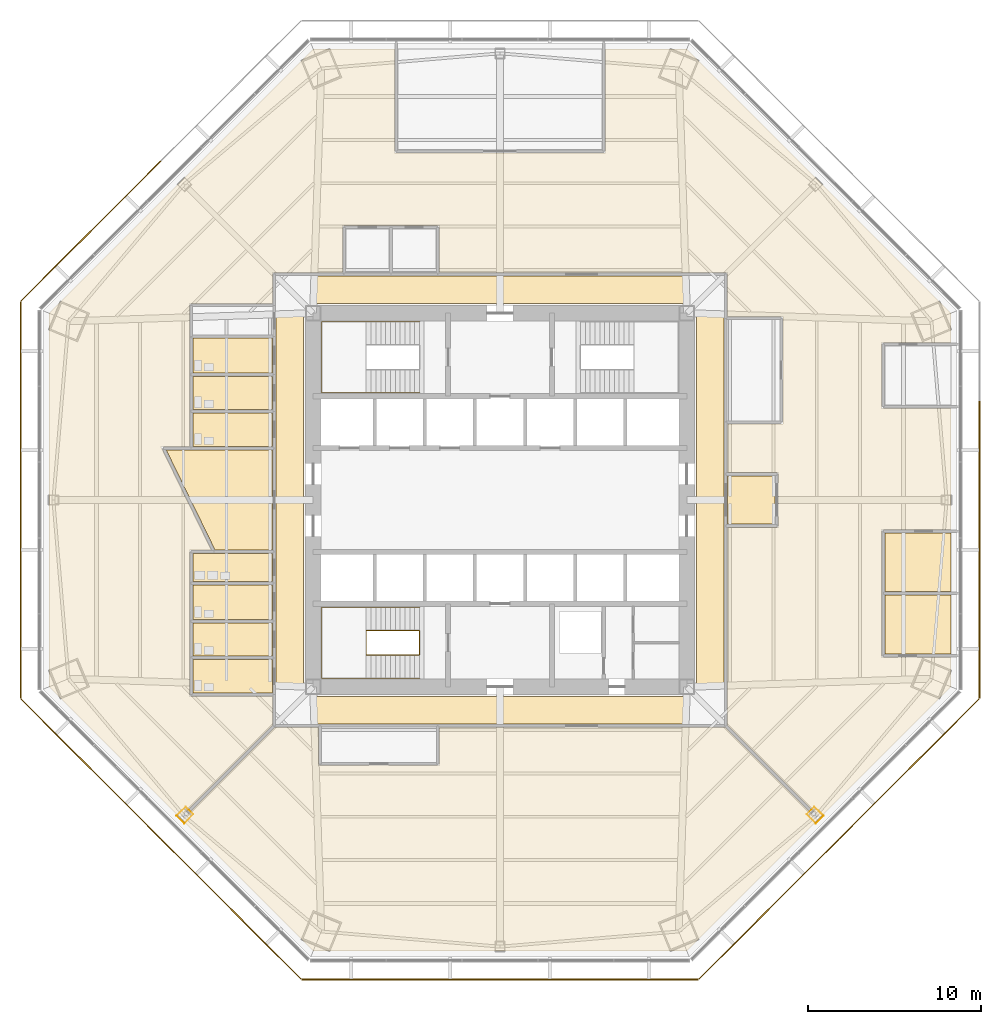
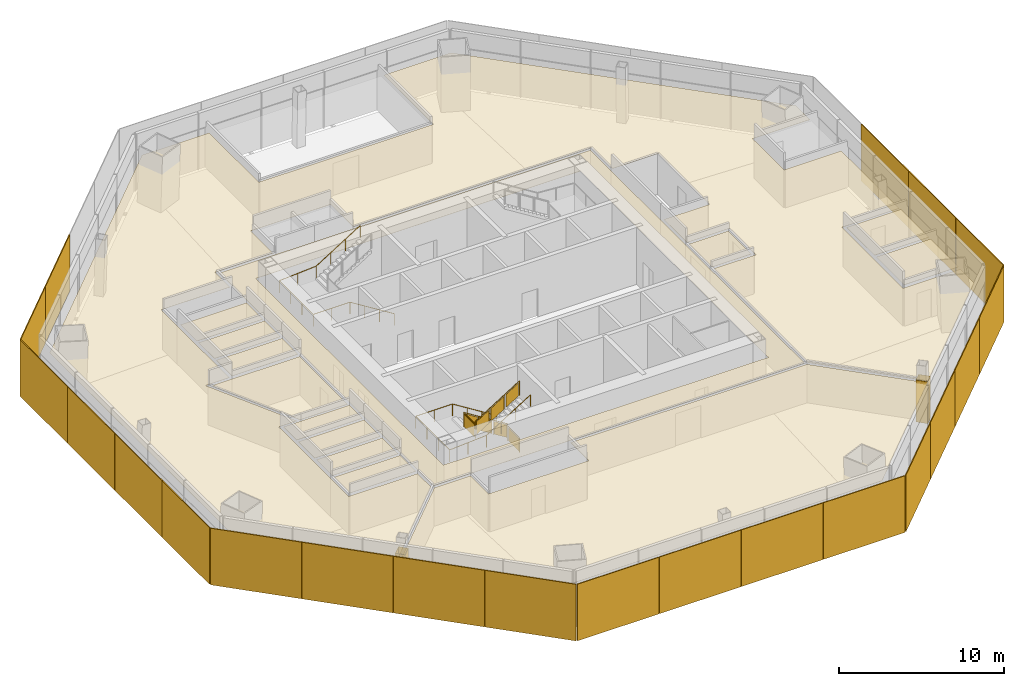
# One storey, part 11 of 13: 21 shading devices, 16 coverings, 3 railings.
"""IFC4 building model written with IfcOpenShell, lengths in metres."""

from ifc_helpers import new_model, si_unit, direction, frame, origin, origin_2d, place, context, subcontext, project, spatial, polyline, rectangle, circle, outline, extrude, source, transform, mapped, material, layer, layer_set, type_object, type_shapes, element, save


model = new_model("IFC4")

# Units and contexts
model_context = context("Model", 3, precision=1e-05, world=origin(), true_north=direction((0.0, 1.0)))
body_context = subcontext(model_context, "Body", "Model", "MODEL_VIEW")
ifc_project = project(units=[si_unit("LENGTHUNIT", "METRE"), si_unit("AREAUNIT", "SQUARE_METRE"), si_unit("VOLUMEUNIT", "CUBIC_METRE"), si_unit("PLANEANGLEUNIT", "RADIAN"), si_unit("MASSUNIT", "GRAM", prefix="KILO")], contexts=[model_context])

# Site, building, storey
site_placement = place(None, origin())
site = spatial("IfcSite", under=ifc_project, at=site_placement, CompositionType="ELEMENT")
building_placement = place(site_placement, origin())
building = spatial("IfcBuilding", under=site, at=building_placement, Name="Mashrafa Tower", CompositionType="ELEMENT")
storey_placement = place(building_placement, frame((0.0, 0.0, 49.800048828125)))
storey = spatial("IfcBuildingStorey", under=building, at=storey_placement, Name="L10", CompositionType="ELEMENT", Elevation=49.800048828125)

# Coverings
ifc_material_1 = material(Name="Gypsum board")
ifc_layer_1 = layer(ifc_material_1, 0.014892578125)
ifc_layer_set_1 = layer_set([ifc_layer_1], Name="Column casing plasterboard 15")
covering_type_1 = type_object("IfcCoveringType", Name="Column casing plasterboard 15", PredefinedType="CLADDING", material=ifc_layer_set_1)
covering_1_placement = place(storey_placement, origin())
element("IfcCovering", 1, at=covering_1_placement, inside=storey, type_object=covering_type_1, Name="Column casing L10-001", PredefinedType="CLADDING", context=body_context, shape_type="SweptSolid", body=[
    extrude(outline(polyline([(-18.693115234375, -18.24755859375), (-18.16357421875, -17.718017578125), (-17.718017578125, -18.16357421875), (-18.24755859375, -18.693115234375), (-18.693115234375, -18.24755859375)]), holes=[polyline([(-17.7392578125, -18.16357421875), (-18.16357421875, -17.7392578125), (-18.671875, -18.24755859375), (-18.24755859375, -18.671875), (-17.7392578125, -18.16357421875)])]), origin(), (0.0, 0.0, 1.0), 3.097900390625),
])
covering_2_placement = place(storey_placement, origin())
element("IfcCovering", 2, at=covering_2_placement, inside=storey, type_object=covering_type_1, Name="Column casing L10-002", PredefinedType="CLADDING", context=body_context, shape_type="SweptSolid", body=[
    extrude(outline(polyline([(17.718017578125, -18.16357421875), (18.16357421875, -17.718017578125), (18.693115234375, -18.24755859375), (18.24755859375, -18.693115234375), (17.718017578125, -18.16357421875)]), holes=[polyline([(18.671875, -18.24755859375), (18.16357421875, -17.7392578125), (17.7392578125, -18.16357421875), (18.24755859375, -18.671875), (18.671875, -18.24755859375)])]), origin(), (0.0, 0.0, 1.0), 3.097900390625),
])

# Railings
ifc_material_2 = material(Name="Steel guard with glass infill", Category="steel")
railing_type_1 = type_object("IfcRailingType", Name="Stair guard 1100", PredefinedType="GUARDRAIL", material=ifc_material_2)
railing_1_placement = place(storey_placement, frame((-4.64990234375, -8.949951171875, 0.0)))
element("IfcRailing", 3, at=railing_1_placement, inside=storey, type_object=railing_type_1, Name="Stair S3 guard L10", PredefinedType="GUARDRAIL", context=body_context, shape_type="SweptSolid", body=[
    extrude(circle(Radius=0.02392578125, at=origin_2d()), frame((0.0, 0.0, 1.076171875), z_axis=(0.0, 1.0, 0.0), x_axis=(-1.0, 0.0, 0.0)), (0.0, 0.0, 1.0), 1.39990234375),
    extrude(circle(Radius=0.02392578125, at=origin_2d()), frame((0.0, 1.39990234375, 1.076171875), z_axis=(0.0, 0.0, 1.0), x_axis=(1.0, 0.0, 0.0)), (0.0, 0.0, 1.0), 0.175048828125),
    extrude(circle(Radius=0.02392578125, at=origin_2d()), frame((0.0, 1.39990234375, 1.2509765625), z_axis=(-0.848028513186, 0.0, 0.529950602248), x_axis=(0.0, -1.0, 0.0)), (0.0, 0.0, 1.0), 3.632080078125),
    extrude(circle(Radius=0.02392578125, at=origin_2d()), frame((-3.080078125, 1.39990234375, 3.17578125), z_axis=(0.0, -1.0, 0.0), x_axis=(1.0, 0.0, 0.0)), (0.0, 0.0, 1.0), 1.39990234375),
    extrude(circle(Radius=0.02392578125, at=origin_2d()), frame((-3.080078125, 0.0, 3.17578125), z_axis=(0.0, 0.0, 1.0), x_axis=(1.0, 0.0, 0.0)), (0.0, 0.0, 1.0), 0.175048828125),
    extrude(circle(Radius=0.02392578125, at=origin_2d()), frame((-3.080078125, 0.0, 3.35107421875), z_axis=(0.847998304005, 0.0, 0.529998940003), x_axis=(0.0, 1.0, 0.0)), (0.0, 0.0, 1.0), 3.632080078125),
    extrude(circle(Radius=0.02099609375, at=origin_2d()), origin(), (0.0, 0.0, 1.0), 1.052001953125),
    extrude(circle(Radius=0.02099609375, at=origin_2d()), frame((0.0, 1.39990234375, 0.0)), (0.0, 0.0, 1.0), 1.052001953125),
    extrude(circle(Radius=0.02099609375, at=origin_2d()), frame((0.0, 1.39990234375, 0.175048828125)), (0.0, 0.0, 1.0), 1.052001953125),
    extrude(circle(Radius=0.02099609375, at=origin_2d()), frame((-1.026611328125, 1.39990234375, 0.816650390625)), (0.0, 0.0, 1.0), 1.052001953125),
    extrude(circle(Radius=0.02099609375, at=origin_2d()), frame((-2.053466796875, 1.39990234375, 1.458251953125)), (0.0, 0.0, 1.0), 1.052001953125),
    extrude(circle(Radius=0.02099609375, at=origin_2d()), frame((-3.080078125, 1.39990234375, 2.099853515625)), (0.0, 0.0, 1.0), 1.052001953125),
    extrude(circle(Radius=0.02099609375, at=origin_2d()), frame((-3.080078125, 0.0, 2.099853515625)), (0.0, 0.0, 1.0), 1.052001953125),
    extrude(circle(Radius=0.02099609375, at=origin_2d()), frame((-3.080078125, 0.0, 2.27490234375)), (0.0, 0.0, 1.0), 1.052001953125),
    extrude(circle(Radius=0.02099609375, at=origin_2d()), frame((-2.053466796875, 0.0, 2.91650390625)), (0.0, 0.0, 1.0), 1.052001953125),
    extrude(circle(Radius=0.02099609375, at=origin_2d()), frame((-1.026611328125, 0.0, 3.558349609375)), (0.0, 0.0, 1.0), 1.052001953125),
    extrude(circle(Radius=0.02099609375, at=origin_2d()), frame((0.0, 0.0, 4.199951171875)), (0.0, 0.0, 1.0), 1.052001953125),
    extrude(outline(polyline([(0.071044921875, 0.050048828125), (1.328857421875, 0.050048828125), (1.328857421875, 1.001953125), (0.071044921875, 1.001953125), (0.071044921875, 0.050048828125)])), frame((0.006103515625, 0.0, 0.0), z_axis=(1.0, 0.0, 0.0), x_axis=(0.0, 1.0, 0.0)), (0.0, 0.0, 1.0), 0.011962890625),
    extrude(outline(polyline([(0.071044921875, 0.094482421875), (0.955810546875, 0.647216796875), (0.955810546875, 1.59912109375), (0.071044921875, 1.04638671875), (0.071044921875, 0.094482421875)])), frame((0.0, 1.406005859375, 0.175048828125), z_axis=(0.0, 1.0, 0.0), x_axis=(-1.0, 0.0, 0.0)), (0.0, 0.0, 1.0), 0.011962890625),
    extrude(outline(polyline([(1.09765625, 0.736083984375), (1.982421875, 1.288818359375), (1.982421875, 2.24072265625), (1.09765625, 1.68798828125), (1.09765625, 0.736083984375)])), frame((0.0, 1.406005859375, 0.175048828125), z_axis=(0.0, 1.0, 0.0), x_axis=(-1.0, 0.0, 0.0)), (0.0, 0.0, 1.0), 0.011962890625),
    extrude(outline(polyline([(2.124267578125, 1.377685546875), (3.009033203125, 1.930419921875), (3.009033203125, 2.88232421875), (2.124267578125, 2.32958984375), (2.124267578125, 1.377685546875)])), frame((0.0, 1.406005859375, 0.175048828125), z_axis=(0.0, 1.0, 0.0), x_axis=(-1.0, 0.0, 0.0)), (0.0, 0.0, 1.0), 0.011962890625),
    extrude(outline(polyline([(0.071044921875, 0.050048828125), (1.328857421875, 0.050048828125), (1.328857421875, 1.001953125), (0.071044921875, 1.001953125), (0.071044921875, 0.050048828125)])), frame((-3.086181640625, 1.39990234375, 2.099853515625), z_axis=(-1.0, 0.0, 0.0), x_axis=(0.0, -1.0, 0.0)), (0.0, 0.0, 1.0), 0.011962890625),
    extrude(outline(polyline([(0.071044921875, 0.094482421875), (0.955810546875, 0.647216796875), (0.955810546875, 1.599365234375), (0.071044921875, 1.04638671875), (0.071044921875, 0.094482421875)])), frame((-3.080078125, -0.006103515625, 2.27490234375), z_axis=(0.0, -1.0, 0.0), x_axis=(1.0, 0.0, 0.0)), (0.0, 0.0, 1.0), 0.011962890625),
    extrude(outline(polyline([(1.09765625, 0.736083984375), (1.982421875, 1.2890625), (1.982421875, 2.240966796875), (1.09765625, 1.68798828125), (1.09765625, 0.736083984375)])), frame((-3.080078125, -0.006103515625, 2.27490234375), z_axis=(0.0, -1.0, 0.0), x_axis=(1.0, 0.0, 0.0)), (0.0, 0.0, 1.0), 0.011962890625),
    extrude(outline(polyline([(2.124267578125, 1.377685546875), (3.009033203125, 1.9306640625), (3.009033203125, 2.882568359375), (2.124267578125, 2.329833984375), (2.124267578125, 1.377685546875)])), frame((-3.080078125, -0.006103515625, 2.27490234375), z_axis=(0.0, -1.0, 0.0), x_axis=(1.0, 0.0, 0.0)), (0.0, 0.0, 1.0), 0.011962890625),
])
ifc_material_3 = material(Name="Steel", Category="steel")
railing_type_2 = type_object("IfcRailingType", Name="Stair handrail 900", PredefinedType="HANDRAIL", material=ifc_material_3)
railing_2_placement = place(storey_placement, frame((-4.64990234375, 6.199951171875, 0.175048828125)))
element("IfcRailing", 4, at=railing_2_placement, inside=storey, type_object=railing_type_2, Name="Stair S1 handrail L10", PredefinedType="HANDRAIL", context=body_context, shape_type="SweptSolid", body=[
    extrude(circle(Radius=0.02392578125, at=origin_2d()), frame((0.0, 0.0, 0.8759765625), z_axis=(-0.848028513186, 0.0, 0.529950602248), x_axis=(0.0, -1.0, 0.0)), (0.0, 0.0, 1.0), 3.632080078125),
    extrude(circle(Radius=0.02392578125, at=origin_2d()), frame((-3.080078125, 0.0, 2.80078125), z_axis=(-1.0, 0.0, 0.0), x_axis=(0.0, -1.0, 0.0)), (0.0, 0.0, 1.0), 2.570068359375),
    extrude(circle(Radius=0.02392578125, at=origin_2d()), frame((-5.650146484375, 0.0, 2.80078125), z_axis=(0.0, 1.0, 0.0), x_axis=(-1.0, 0.0, 0.0)), (0.0, 0.0, 1.0), 4.10009765625),
    extrude(circle(Radius=0.02392578125, at=origin_2d()), frame((-5.650146484375, 4.10009765625, 2.80078125), z_axis=(0.997688514158, 0.0, 0.067953136188), x_axis=(0.0, 1.0, 0.0)), (0.0, 0.0, 1.0), 2.575927734375),
    extrude(circle(Radius=0.02392578125, at=origin_2d()), frame((-3.080078125, 4.10009765625, 2.9755859375), z_axis=(0.847998304005, 0.0, 0.529998940003), x_axis=(0.0, 1.0, 0.0)), (0.0, 0.0, 1.0), 3.632080078125),
    extrude(circle(Radius=0.02099609375, at=origin_2d()), origin(), (0.0, 0.0, 1.0), 0.851806640625),
    extrude(circle(Radius=0.02099609375, at=origin_2d()), frame((-1.026611328125, 0.0, 0.6416015625)), (0.0, 0.0, 1.0), 0.851806640625),
    extrude(circle(Radius=0.02099609375, at=origin_2d()), frame((-2.053466796875, 0.0, 1.283203125)), (0.0, 0.0, 1.0), 0.851806640625),
    extrude(circle(Radius=0.02099609375, at=origin_2d()), frame((-3.080078125, 0.0, 1.9248046875)), (0.0, 0.0, 1.0), 0.851806640625),
    extrude(circle(Radius=0.02099609375, at=origin_2d()), frame((-4.365234375, 0.0, 1.9248046875)), (0.0, 0.0, 1.0), 0.851806640625),
    extrude(circle(Radius=0.02099609375, at=origin_2d()), frame((-5.650146484375, 0.0, 1.9248046875)), (0.0, 0.0, 1.0), 0.851806640625),
    extrude(circle(Radius=0.02099609375, at=origin_2d()), frame((-5.650146484375, 1.36669921875, 1.9248046875)), (0.0, 0.0, 1.0), 0.851806640625),
    extrude(circle(Radius=0.02099609375, at=origin_2d()), frame((-5.650146484375, 2.7333984375, 1.9248046875)), (0.0, 0.0, 1.0), 0.851806640625),
    extrude(circle(Radius=0.02099609375, at=origin_2d()), frame((-5.650146484375, 4.10009765625, 1.9248046875)), (0.0, 0.0, 1.0), 0.851806640625),
    extrude(circle(Radius=0.02099609375, at=origin_2d()), frame((-4.365234375, 4.10009765625, 2.01220703125)), (0.0, 0.0, 1.0), 0.851806640625),
    extrude(circle(Radius=0.02099609375, at=origin_2d()), frame((-3.080078125, 4.10009765625, 2.099853515625)), (0.0, 0.0, 1.0), 0.851806640625),
    extrude(circle(Radius=0.02099609375, at=origin_2d()), frame((-2.053466796875, 4.10009765625, 2.741455078125)), (0.0, 0.0, 1.0), 0.851806640625),
    extrude(circle(Radius=0.02099609375, at=origin_2d()), frame((-1.026611328125, 4.10009765625, 3.38330078125)), (0.0, 0.0, 1.0), 0.851806640625),
    extrude(circle(Radius=0.02099609375, at=origin_2d()), frame((0.0, 4.10009765625, 4.02490234375)), (0.0, 0.0, 1.0), 0.851806640625),
])
railing_3_placement = place(storey_placement, frame((-4.64990234375, -6.199951171875, 0.175048828125)))
element("IfcRailing", 5, at=railing_3_placement, inside=storey, type_object=railing_type_2, Name="Stair S3 handrail L10", PredefinedType="HANDRAIL", context=body_context, shape_type="SweptSolid", body=[
    extrude(circle(Radius=0.02392578125, at=origin_2d()), frame((0.0, 0.0, 0.8759765625), z_axis=(-0.848028513186, 0.0, 0.529950602248), x_axis=(0.0, -1.0, 0.0)), (0.0, 0.0, 1.0), 3.632080078125),
    extrude(circle(Radius=0.02392578125, at=origin_2d()), frame((-3.080078125, 0.0, 2.80078125), z_axis=(-1.0, 0.0, 0.0), x_axis=(0.0, -1.0, 0.0)), (0.0, 0.0, 1.0), 2.570068359375),
    extrude(circle(Radius=0.02392578125, at=origin_2d()), frame((-5.650146484375, 0.0, 2.80078125), z_axis=(0.0, -1.0, 0.0), x_axis=(1.0, 0.0, 0.0)), (0.0, 0.0, 1.0), 4.10009765625),
    extrude(circle(Radius=0.02392578125, at=origin_2d()), frame((-5.650146484375, -4.10009765625, 2.80078125), z_axis=(0.997688514158, 0.0, 0.067953136188), x_axis=(0.0, 1.0, 0.0)), (0.0, 0.0, 1.0), 2.575927734375),
    extrude(circle(Radius=0.02392578125, at=origin_2d()), frame((-3.080078125, -4.10009765625, 2.9755859375), z_axis=(0.847998304005, 0.0, 0.529998940003), x_axis=(0.0, 1.0, 0.0)), (0.0, 0.0, 1.0), 3.632080078125),
    extrude(circle(Radius=0.02099609375, at=origin_2d()), origin(), (0.0, 0.0, 1.0), 0.851806640625),
    extrude(circle(Radius=0.02099609375, at=origin_2d()), frame((-1.026611328125, 0.0, 0.6416015625)), (0.0, 0.0, 1.0), 0.851806640625),
    extrude(circle(Radius=0.02099609375, at=origin_2d()), frame((-2.053466796875, 0.0, 1.283203125)), (0.0, 0.0, 1.0), 0.851806640625),
    extrude(circle(Radius=0.02099609375, at=origin_2d()), frame((-3.080078125, 0.0, 1.9248046875)), (0.0, 0.0, 1.0), 0.851806640625),
    extrude(circle(Radius=0.02099609375, at=origin_2d()), frame((-4.365234375, 0.0, 1.9248046875)), (0.0, 0.0, 1.0), 0.851806640625),
    extrude(circle(Radius=0.02099609375, at=origin_2d()), frame((-5.650146484375, 0.0, 1.9248046875)), (0.0, 0.0, 1.0), 0.851806640625),
    extrude(circle(Radius=0.02099609375, at=origin_2d()), frame((-5.650146484375, -1.36669921875, 1.9248046875)), (0.0, 0.0, 1.0), 0.851806640625),
    extrude(circle(Radius=0.02099609375, at=origin_2d()), frame((-5.650146484375, -2.7333984375, 1.9248046875)), (0.0, 0.0, 1.0), 0.851806640625),
    extrude(circle(Radius=0.02099609375, at=origin_2d()), frame((-5.650146484375, -4.10009765625, 1.9248046875)), (0.0, 0.0, 1.0), 0.851806640625),
    extrude(circle(Radius=0.02099609375, at=origin_2d()), frame((-4.365234375, -4.10009765625, 2.01220703125)), (0.0, 0.0, 1.0), 0.851806640625),
    extrude(circle(Radius=0.02099609375, at=origin_2d()), frame((-3.080078125, -4.10009765625, 2.099853515625)), (0.0, 0.0, 1.0), 0.851806640625),
    extrude(circle(Radius=0.02099609375, at=origin_2d()), frame((-2.053466796875, -4.10009765625, 2.741455078125)), (0.0, 0.0, 1.0), 0.851806640625),
    extrude(circle(Radius=0.02099609375, at=origin_2d()), frame((-1.026611328125, -4.10009765625, 3.38330078125)), (0.0, 0.0, 1.0), 0.851806640625),
    extrude(circle(Radius=0.02099609375, at=origin_2d()), frame((0.0, -4.10009765625, 4.02490234375)), (0.0, 0.0, 1.0), 0.851806640625),
])

# Coverings
ifc_material_4 = material(Name="Mineral fibre tile on suspension grid")
ifc_layer_2 = layer(ifc_material_4, 0.014892578125)
ifc_layer_set_2 = layer_set([ifc_layer_2], Name="Suspended ceiling mineral tile 15")
covering_type_2 = type_object("IfcCoveringType", Name="Suspended ceiling mineral tile 15", PredefinedType="CEILING", material=ifc_layer_set_2)
covering_3_placement = place(storey_placement, frame((0.0, 0.0, 2.849853515625)))
element("IfcCovering", 6, at=covering_3_placement, inside=storey, type_object=covering_type_2, Name="Ceiling Office Corridor L10", PredefinedType="CEILING", context=body_context, shape_type="SweptSolid", body=[
    extrude(outline(polyline([(-12.949951171875, -12.949951171875), (-12.949951171875, 12.949951171875), (12.949951171875, 12.949951171875), (12.949951171875, -12.949951171875), (-12.949951171875, -12.949951171875)]), holes=[polyline([(11.35009765625, 11.35009765625), (-11.35009765625, 11.35009765625), (-11.35009765625, -11.35009765625), (11.35009765625, -11.35009765625), (11.35009765625, 11.35009765625)])]), origin(), (0.0, 0.0, 1.0), 0.01513671875),
])
covering_4_placement = place(storey_placement, frame((0.0, 0.0, 2.89990234375)))
element("IfcCovering", 7, at=covering_4_placement, inside=storey, type_object=covering_type_2, Name="Ceiling WC Female L10 N", PredefinedType="CEILING", context=body_context, shape_type="SweptSolid", body=[
    extrude(outline(polyline([(-17.75, 3.10009765625), (-17.75, 5.02490234375), (-13.14990234375, 5.02490234375), (-13.14990234375, 3.10009765625), (-17.75, 3.10009765625)])), origin(), (0.0, 0.0, 1.0), 0.01513671875),
])
covering_5_placement = place(storey_placement, frame((0.0, 0.0, 2.89990234375)))
element("IfcCovering", 8, at=covering_5_placement, inside=storey, type_object=covering_type_2, Name="Ceiling WC Male L10 N", PredefinedType="CEILING", context=body_context, shape_type="SweptSolid", body=[
    extrude(outline(polyline([(-17.75, 5.22509765625), (-17.75, 7.14990234375), (-13.14990234375, 7.14990234375), (-13.14990234375, 5.22509765625), (-17.75, 5.22509765625)])), origin(), (0.0, 0.0, 1.0), 0.01513671875),
])
covering_6_placement = place(storey_placement, frame((0.0, 0.0, 2.89990234375)))
element("IfcCovering", 9, at=covering_6_placement, inside=storey, type_object=covering_type_2, Name="Ceiling Accessible WC L10 N", PredefinedType="CEILING", context=body_context, shape_type="SweptSolid", body=[
    extrude(outline(polyline([(-17.75, 7.35009765625), (-17.75, 9.35009765625), (-13.14990234375, 9.35009765625), (-13.14990234375, 7.35009765625), (-17.75, 7.35009765625)])), origin(), (0.0, 0.0, 1.0), 0.01513671875),
])
covering_7_placement = place(storey_placement, frame((0.0, 0.0, 2.89990234375)))
element("IfcCovering", 10, at=covering_7_placement, inside=storey, type_object=covering_type_2, Name="Ceiling WC Female L10 S", PredefinedType="CEILING", context=body_context, shape_type="SweptSolid", body=[
    extrude(outline(polyline([(-17.75, -11.14990234375), (-17.75, -9.22509765625), (-13.14990234375, -9.22509765625), (-13.14990234375, -11.14990234375), (-17.75, -11.14990234375)])), origin(), (0.0, 0.0, 1.0), 0.01513671875),
])
covering_8_placement = place(storey_placement, frame((0.0, 0.0, 2.89990234375)))
element("IfcCovering", 11, at=covering_8_placement, inside=storey, type_object=covering_type_2, Name="Ceiling WC Male L10 S", PredefinedType="CEILING", context=body_context, shape_type="SweptSolid", body=[
    extrude(outline(polyline([(-17.75, -9.02490234375), (-17.75, -7.10009765625), (-13.14990234375, -7.10009765625), (-13.14990234375, -9.02490234375), (-17.75, -9.02490234375)])), origin(), (0.0, 0.0, 1.0), 0.01513671875),
])
covering_9_placement = place(storey_placement, frame((0.0, 0.0, 2.89990234375)))
element("IfcCovering", 12, at=covering_9_placement, inside=storey, type_object=covering_type_2, Name="Ceiling Accessible WC L10 S", PredefinedType="CEILING", context=body_context, shape_type="SweptSolid", body=[
    extrude(outline(polyline([(-17.75, -6.89990234375), (-17.75, -4.89990234375), (-13.14990234375, -4.89990234375), (-13.14990234375, -6.89990234375), (-17.75, -6.89990234375)])), origin(), (0.0, 0.0, 1.0), 0.01513671875),
])
covering_10_placement = place(storey_placement, frame((0.0, 0.0, 2.89990234375)))
element("IfcCovering", 13, at=covering_10_placement, inside=storey, type_object=covering_type_2, Name="Ceiling Ablution Room L10 S", PredefinedType="CEILING", context=body_context, shape_type="SweptSolid", body=[
    extrude(outline(polyline([(-17.75, -4.699951171875), (-17.75, -3.10009765625), (-13.14990234375, -3.10009765625), (-13.14990234375, -4.699951171875), (-17.75, -4.699951171875)])), origin(), (0.0, 0.0, 1.0), 0.01513671875),
])
covering_11_placement = place(storey_placement, frame((0.0, 0.0, 2.849853515625)))
element("IfcCovering", 14, at=covering_11_placement, inside=storey, type_object=covering_type_2, Name="Ceiling Musallah Prayer Room 10", PredefinedType="CEILING", context=body_context, shape_type="SweptSolid", body=[
    extrude(outline(polyline([(-16.461181640625, -2.89990234375), (-19.2900390625, 2.89990234375), (-13.14990234375, 2.89990234375), (-13.14990234375, -2.89990234375), (-16.461181640625, -2.89990234375)])), origin(), (0.0, 0.0, 1.0), 0.01513671875),
])
covering_12_placement = place(storey_placement, frame((0.0, 0.0, 2.89990234375)))
element("IfcCovering", 15, at=covering_12_placement, inside=storey, type_object=covering_type_2, Name="Ceiling Meeting Room 10-1", PredefinedType="CEILING", context=body_context, shape_type="SweptSolid", body=[
    extrude(outline(polyline([(22.255859375, -5.5), (26.055908203125, -5.5), (26.055908203125, -8.89990234375), (22.255859375, -8.89990234375), (22.255859375, -5.5)])), origin(), (0.0, 0.0, 1.0), 0.01513671875),
])
covering_13_placement = place(storey_placement, frame((0.0, 0.0, 2.89990234375)))
element("IfcCovering", 16, at=covering_13_placement, inside=storey, type_object=covering_type_2, Name="Ceiling Meeting Room 10-2", PredefinedType="CEILING", context=body_context, shape_type="SweptSolid", body=[
    extrude(outline(polyline([(22.255859375, -1.89990234375), (26.055908203125, -1.89990234375), (26.055908203125, -5.300048828125), (22.255859375, -5.300048828125), (22.255859375, -1.89990234375)])), origin(), (0.0, 0.0, 1.0), 0.01513671875),
])
covering_14_placement = place(storey_placement, frame((0.0, 0.0, 2.849853515625)))
element("IfcCovering", 17, at=covering_14_placement, inside=storey, type_object=covering_type_2, Name="Ceiling Trading Floor Entrance Lobby 10", PredefinedType="CEILING", context=body_context, shape_type="SweptSolid", body=[
    extrude(outline(polyline([(13.14990234375, 1.39990234375), (15.89990234375, 1.39990234375), (15.89990234375, -1.39990234375), (13.14990234375, -1.39990234375), (13.14990234375, 1.39990234375)])), origin(), (0.0, 0.0, 1.0), 0.01513671875),
])
covering_15_placement = place(storey_placement, frame((0.0, 0.0, 2.849853515625)))
element("IfcCovering", 18, at=covering_15_placement, inside=storey, type_object=covering_type_2, Name="Ceiling Trading Floor 10", PredefinedType="CEILING", context=body_context, shape_type="SweptSolid", body=[
    extrude(outline(polyline([(-13.14990234375, -13.008544921875), (-18.4951171875, -18.353515625), (-26.055908203125, -10.792724609375), (-26.055908203125, 10.792724609375), (-10.792724609375, 26.055908203125), (-6.10009765625, 26.055908203125), (-6.10009765625, 20.055908203125), (6.10009765625, 20.055908203125), (6.10009765625, 26.055908203125), (10.792724609375, 26.055908203125), (26.055908203125, 10.792724609375), (26.055908203125, 9.10009765625), (22.055908203125, 9.10009765625), (22.055908203125, 5.300048828125), (26.055908203125, 5.300048828125), (26.055908203125, -1.699951171875), (22.055908203125, -1.699951171875), (22.055908203125, -9.10009765625), (26.055908203125, -9.10009765625), (26.055908203125, -10.792724609375), (18.4951171875, -18.353515625), (13.14990234375, -13.008544921875), (13.14990234375, -1.60009765625), (16.10009765625, -1.60009765625), (16.10009765625, 1.60009765625), (13.14990234375, 1.60009765625), (13.14990234375, 4.39990234375), (16.35009765625, 4.39990234375), (16.35009765625, 10.60009765625), (13.14990234375, 10.60009765625), (13.14990234375, 13.14990234375), (-3.5, 13.14990234375), (-3.5, 15.85009765625), (-9.10009765625, 15.85009765625), (-9.10009765625, 13.14990234375), (-13.14990234375, 13.14990234375), (-13.14990234375, 11.35009765625), (-17.949951171875, 11.35009765625), (-17.949951171875, 3.10009765625), (-19.610107421875, 3.10009765625), (-16.68359375, -2.89990234375), (-17.949951171875, -2.89990234375), (-17.949951171875, -11.35009765625), (-13.14990234375, -11.35009765625), (-13.14990234375, -13.008544921875)])), origin(), (0.0, 0.0, 1.0), 0.01513671875),
])
covering_16_placement = place(storey_placement, frame((0.0, 0.0, 2.849853515625)))
element("IfcCovering", 19, at=covering_16_placement, inside=storey, type_object=covering_type_2, Name="Ceiling Research and Sales Office 10", PredefinedType="CEILING", context=body_context, shape_type="SweptSolid", body=[
    extrude(outline(polyline([(13.008544921875, -13.14990234375), (18.353515625, -18.4951171875), (10.792724609375, -26.055908203125), (-10.792724609375, -26.055908203125), (-18.353515625, -18.4951171875), (-13.008544921875, -13.14990234375), (-10.5, -13.14990234375), (-10.5, -15.35009765625), (-3.5, -15.35009765625), (-3.5, -13.14990234375), (13.008544921875, -13.14990234375)])), origin(), (0.0, 0.0, 1.0), 0.01513671875),
])

# Shading devices
ifc_material_5 = material(Name="Perforated aluminium plate, eight-point star pattern", Category="aluminium")
ifc_layer_3 = layer(ifc_material_5, 0.06005859375)
ifc_layer_set_3 = layer_set([ifc_layer_3], Name="Mashrabiya screen panel office zone 1, 45 percent open")
shading_device_type = type_object("IfcShadingDeviceType", Name="Mashrabiya screen panel office zone 1, 45 percent open", PredefinedType="SHUTTER", material=ifc_layer_set_3)
shared_shape = source(origin(), body_context, "Body", "SweptSolid", [
    extrude(rectangle(XDim=5.706787109375, YDim=0.06005859375, at=origin_2d()), origin(), (0.0, 0.0, 1.0), 4.179931640625),
])
type_shapes(shading_device_type, [shared_shape])
for number, where, z_axis, x_axis, name in (
    (20, (27.7060546875, -8.59033203125, -0.14990234375), (0.0, 0.0, 1.0), (0.0, 1.0, 0.0), "Mashrabiya screen L10 east 1"),
    (21, (27.7060546875, -2.863525390625, -0.14990234375), (0.0, 0.0, 1.0), (0.0, 1.0, 0.0), "Mashrabiya screen L10 east 2"),
    (22, (27.7060546875, 2.863525390625, -0.14990234375), (0.0, 0.0, 1.0), (0.0, 1.0, 0.0), "Mashrabiya screen L10 east 3"),
    (23, (-21.61572265625, 17.56640625, -0.14990234375), (0.0, 0.0, 1.0), (-0.707106781187, -0.707106781187, 0.0), "Mashrabiya screen L10 north-west 3"),
    (24, (-25.665283203125, 13.516845703125, -0.14990234375), (0.0, 0.0, 1.0), (-0.707106781187, -0.707106781187, 0.0), "Mashrabiya screen L10 north-west 4"),
    (25, (-27.7060546875, 8.59033203125, -0.14990234375), (0.0, 0.0, 1.0), (0.0, -1.0, 0.0), "Mashrabiya screen L10 west 1"),
    (26, (-27.7060546875, 2.863525390625, -0.14990234375), (0.0, 0.0, 1.0), (0.0, -1.0, 0.0), "Mashrabiya screen L10 west 2"),
    (27, (-27.7060546875, -2.863525390625, -0.14990234375), (0.0, 0.0, 1.0), (0.0, -1.0, 0.0), "Mashrabiya screen L10 west 3"),
    (28, (-27.7060546875, -8.59033203125, -0.14990234375), (0.0, 0.0, 1.0), (0.0, -1.0, 0.0), "Mashrabiya screen L10 west 4"),
    (29, (-25.665283203125, -13.516845703125, -0.14990234375), (0.0, 0.0, 1.0), (0.707106781187, -0.707106781187, 0.0), "Mashrabiya screen L10 south-west 1"),
    (30, (-21.61572265625, -17.56640625, -0.14990234375), (0.0, 0.0, 1.0), (0.707106781187, -0.707106781187, 0.0), "Mashrabiya screen L10 south-west 2"),
    (31, (-17.56640625, -21.61572265625, -0.14990234375), (0.0, 0.0, 1.0), (0.707106781187, -0.707106781187, 0.0), "Mashrabiya screen L10 south-west 3"),
    (32, (-13.516845703125, -25.665283203125, -0.14990234375), (0.0, 0.0, 1.0), (0.707106781187, -0.707106781187, 0.0), "Mashrabiya screen L10 south-west 4"),
    (33, (-8.59033203125, -27.7060546875, -0.14990234375), (0.0, 0.0, 1.0), (1.0, 0.0, 0.0), "Mashrabiya screen L10 south 1"),
    (34, (-2.863525390625, -27.7060546875, -0.14990234375), (0.0, 0.0, 1.0), (1.0, 0.0, 0.0), "Mashrabiya screen L10 south 2"),
    (35, (2.863525390625, -27.7060546875, -0.14990234375), (0.0, 0.0, 1.0), (1.0, 0.0, 0.0), "Mashrabiya screen L10 south 3"),
    (36, (8.59033203125, -27.7060546875, -0.14990234375), (0.0, 0.0, 1.0), (1.0, 0.0, 0.0), "Mashrabiya screen L10 south 4"),
    (37, (13.516845703125, -25.665283203125, -0.14990234375), (0.0, 0.0, 1.0), (0.707106781187, 0.707106781187, 0.0), "Mashrabiya screen L10 south-east 1"),
    (38, (17.56640625, -21.61572265625, -0.14990234375), (0.0, 0.0, 1.0), (0.707106781187, 0.707106781187, 0.0), "Mashrabiya screen L10 south-east 2"),
    (39, (21.61572265625, -17.56640625, -0.14990234375), (0.0, 0.0, 1.0), (0.707106781187, 0.707106781187, 0.0), "Mashrabiya screen L10 south-east 3"),
    (40, (25.665283203125, -13.516845703125, -0.14990234375), (0.0, 0.0, 1.0), (0.707106781187, 0.707106781187, 0.0), "Mashrabiya screen L10 south-east 4"),
):
    element("IfcShadingDevice", number, at=place(storey_placement, frame(where, z_axis=z_axis, x_axis=x_axis)), inside=storey, type_object=shading_device_type, Name=name, PredefinedType="SHUTTER", context=body_context, shape_type="MappedRepresentation", body=[
        mapped(shared_shape, transform((0.0, 0.0, 0.0))),
    ])

save(model, "model.ifc")
